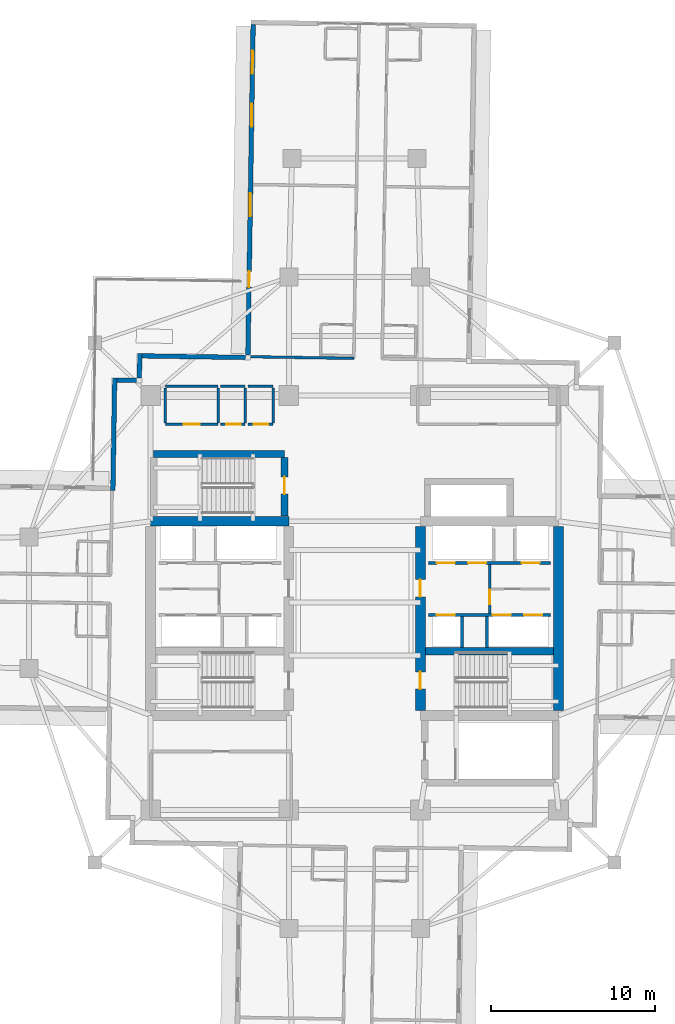
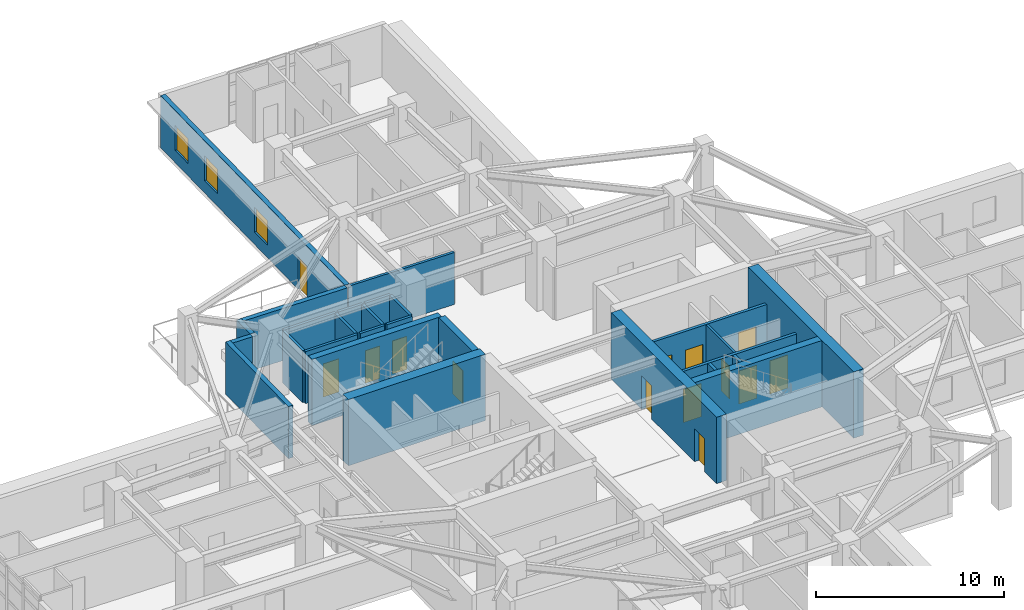
# One storey, part 14 of 22: 27 walls, 14 doors, 3 windows, 17 openings.
"""IFC4 building model written with IfcOpenShell, lengths in metres."""

from ifc_helpers import new_model, si_unit, direction, frame, frame_2d, origin, place, context, subcontext, project, spatial, rectangle, extrude, material, layer, layer_set, type_object, element, fill, save


model = new_model("IFC4")

# Units and contexts
model_context = context("Model", 3, precision=1e-05, world=origin(), true_north=direction((0.0, 1.0)))
body_context = subcontext(model_context, "Body", "Model", "MODEL_VIEW")
ifc_project = project(units=[si_unit("LENGTHUNIT", "METRE"), si_unit("AREAUNIT", "SQUARE_METRE"), si_unit("VOLUMEUNIT", "CUBIC_METRE"), si_unit("PLANEANGLEUNIT", "RADIAN"), si_unit("MASSUNIT", "GRAM", prefix="KILO")], contexts=[model_context])

# Site, building, storey
site_placement = place(None, origin())
site = spatial("IfcSite", under=ifc_project, at=site_placement, CompositionType="ELEMENT")
building_placement = place(site_placement, origin())
building = spatial("IfcBuilding", under=site, at=building_placement, Name="Qingluan Cross Belvedere", CompositionType="ELEMENT")
storey_placement = place(building_placement, frame((0.0, 0.0, 100.199951171875)))
storey = spatial("IfcBuildingStorey", under=building, at=storey_placement, Name="L25", CompositionType="ELEMENT", Elevation=100.199951171875)

# Walls
ifc_material_1 = material(Name="Concrete C50", Category="concrete")
ifc_layer_1 = layer(ifc_material_1, 0.449951171875, Name="CoreShearWall_450")
ifc_layer_set_1 = layer_set([ifc_layer_1], Name="Concrete C50")
wall_type_1 = type_object("IfcWallType", Name="CoreShearWall_450", PredefinedType="SHEAR", material=ifc_layer_set_1)
wall_1_placement = place(storey_placement, frame((4.304931640625, -2.9599609375, 0.0), z_axis=(0.0, 0.0, 1.0), x_axis=(1.0, 0.0, 0.0)))
element("IfcWall", 1, at=wall_1_placement, inside=storey, type_object=wall_type_1, Name="Split core E shear wall L25-M", PredefinedType="SHEAR", context=body_context, shape_type="SweptSolid", body=[
    extrude(rectangle(XDim=7.7900390625, YDim=0.449951171875, at=frame_2d((3.89501953125, 0.0))), origin(), (0.0, 0.0, 1.0), 4.300048828125),
])
wall_2_placement = place(storey_placement, frame((-12.219970703125, 9.0400390625, 0.0), z_axis=(0.0, 0.0, 1.0), x_axis=(1.0, 0.0, 0.0)))
element("IfcWall", 2, at=wall_2_placement, inside=storey, type_object=wall_type_1, Name="Stair ST3 structural wall N L25", PredefinedType="SHEAR", context=body_context, shape_type="SweptSolid", body=[
    extrude(rectangle(XDim=7.9599609375, YDim=0.39990234375, at=frame_2d((3.97998046875, 0.0))), origin(), (0.0, 0.0, 1.0), 4.300048828125),
])

# Wall, opening, door
wall_3_placement = place(storey_placement, frame((-4.260009765625, 5.2548828125, 0.0), z_axis=(0.0, 0.0, 1.0), x_axis=(0.0, 1.0, 0.0)))
wall_3 = element("IfcWall", 3, at=wall_3_placement, inside=storey, type_object=wall_type_1, Name="Stair ST3 structural wall E L25", PredefinedType="SHEAR", context=body_context, shape_type="SweptSolid", body=[
    extrude(rectangle(XDim=3.580078125, YDim=0.39990234375, at=frame_2d((1.7900390625, 0.0))), origin(), (0.0, 0.0, 1.0), 4.300048828125),
])
opening_1_placement = place(wall_3_placement, frame((1.344970703125, 0.0, 0.0)))
opening_1 = element("IfcOpeningElement", 4, at=opening_1_placement, cuts=wall_3, Name="Opening FD-B11", PredefinedType="OPENING", context=body_context, shape_type="SweptSolid", body=[
    extrude(rectangle(XDim=1.050048828125, YDim=2.14990234375, at=frame_2d((0.52490234375, 1.074951171875))), frame((0.0, 0.2099609375, 0.0), z_axis=(0.0, -1.0, 0.0), x_axis=(1.0, 0.0, 0.0)), (0.0, 0.0, 1.0), 0.419921875),
])
ifc_material_2 = material(Name="Steel Class B smoke-seal fire door", Category="steel")
door_type_1 = type_object("IfcDoorType", Name="StairLobbyFireDoor_FDB", OperationType="NOTDEFINED", PredefinedType="DOOR", material=ifc_material_2)
door_1_placement = place(opening_1_placement, origin())
door_1 = element("IfcDoor", 5, at=door_1_placement, inside=storey, type_object=door_type_1, Name="Smoke-proof stair ST3 fire door L25", OperationType="SINGLE_SWING_RIGHT", OverallHeight=2.14990234375, OverallWidth=1.050048828125, PredefinedType="DOOR", context=body_context, shape_type="SweptSolid", body=[
    extrude(rectangle(XDim=1.050048828125, YDim=2.14990234375, at=frame_2d((0.52490234375, 1.074951171875))), frame((0.0, 0.02490234375, 0.0), z_axis=(0.0, -1.0, 0.0), x_axis=(1.0, 0.0, 0.0)), (0.0, 0.0, 1.0), 0.050048828125),
])
fill(opening_1, door_1)

# Wall
ifc_material_3 = material(Name="Concrete C60", Category="concrete")
ifc_layer_2 = layer(ifc_material_3, 0.60009765625, Name="CoreShearWall_600")
ifc_layer_set_2 = layer_set([ifc_layer_2], Name="Concrete C60")
wall_type_2 = type_object("IfcWallType", Name="CoreShearWall_600", PredefinedType="SHEAR", material=ifc_layer_set_2)
wall_4_placement = place(storey_placement, frame((-12.39990234375, 4.949951171875, 0.0), z_axis=(0.0, 0.0, 1.0), x_axis=(1.0, 0.0, 0.0)))
element("IfcWall", 6, at=wall_4_placement, inside=storey, type_object=wall_type_2, Name="Split core W shear wall L25-N", PredefinedType="SHEAR", context=body_context, shape_type="SweptSolid", body=[
    extrude(rectangle(XDim=8.39990234375, YDim=0.60009765625, at=frame_2d((4.199951171875, 0.0))), origin(), (0.0, 0.0, 1.0), 4.300048828125),
])

# Wall, openings, doors
wall_5_placement = place(storey_placement, frame((4.0, -6.544921875, 0.0), z_axis=(0.0, 0.0, 1.0), x_axis=(0.0, 1.0, 0.0)))
wall_5 = element("IfcWall", 7, at=wall_5_placement, inside=storey, type_object=wall_type_2, Name="Split core E shear wall L25-W", PredefinedType="SHEAR", context=body_context, shape_type="SweptSolid", body=[
    extrude(rectangle(XDim=11.18994140625, YDim=0.60009765625, at=frame_2d((5.594970703125, 0.0))), origin(), (0.0, 0.0, 1.0), 4.300048828125),
])
opening_2_placement = place(wall_5_placement, frame((1.294921875, 0.0, 0.0)))
opening_2 = element("IfcOpeningElement", 8, at=opening_2_placement, cuts=wall_5, Name="Opening FD-B11", PredefinedType="OPENING", context=body_context, shape_type="SweptSolid", body=[
    extrude(rectangle(XDim=1.050048828125, YDim=2.14990234375, at=frame_2d((0.52490234375, 1.074951171875))), frame((0.0, 0.31005859375, 0.0), z_axis=(0.0, -1.0, 0.0), x_axis=(1.0, 0.0, 0.0)), (0.0, 0.0, 1.0), 0.6201171875),
])
opening_3_placement = place(wall_5_placement, frame((6.89501953125, 0.0, 0.0)))
opening_3 = element("IfcOpeningElement", 9, at=opening_3_placement, cuts=wall_5, Name="Opening FD-B11", PredefinedType="OPENING", context=body_context, shape_type="SweptSolid", body=[
    extrude(rectangle(XDim=1.050048828125, YDim=2.14990234375, at=frame_2d((0.52490234375, 1.074951171875))), frame((0.0, 0.31005859375, 0.0), z_axis=(0.0, -1.0, 0.0), x_axis=(1.0, 0.0, 0.0)), (0.0, 0.0, 1.0), 0.6201171875),
])
door_2_placement = place(opening_2_placement, origin())
door_2 = element("IfcDoor", 10, at=door_2_placement, inside=storey, type_object=door_type_1, Name="Smoke-proof stair ST2 fire door L25", OperationType="SINGLE_SWING_LEFT", OverallHeight=2.14990234375, OverallWidth=1.050048828125, PredefinedType="DOOR", context=body_context, shape_type="SweptSolid", body=[
    extrude(rectangle(XDim=1.050048828125, YDim=2.14990234375, at=frame_2d((0.52490234375, 1.074951171875))), frame((0.0, 0.02490234375, 0.0), z_axis=(0.0, -1.0, 0.0), x_axis=(1.0, 0.0, 0.0)), (0.0, 0.0, 1.0), 0.050048828125),
])
fill(opening_2, door_2)
door_3_placement = place(opening_3_placement, origin())
door_3 = element("IfcDoor", 11, at=door_3_placement, inside=storey, type_object=door_type_1, Name="Firefighting lobby East fire door L25", OperationType="SINGLE_SWING_LEFT", OverallHeight=2.14990234375, OverallWidth=1.050048828125, PredefinedType="DOOR", context=body_context, shape_type="SweptSolid", body=[
    extrude(rectangle(XDim=1.050048828125, YDim=2.14990234375, at=frame_2d((0.52490234375, 1.074951171875))), frame((0.0, 0.02490234375, 0.0), z_axis=(0.0, -1.0, 0.0), x_axis=(1.0, 0.0, 0.0)), (0.0, 0.0, 1.0), 0.050048828125),
])
fill(opening_3, door_3)

# Wall
wall_6_placement = place(storey_placement, frame((12.39990234375, -6.544921875, 0.0), z_axis=(0.0, 0.0, 1.0), x_axis=(0.0, 1.0, 0.0)))
element("IfcWall", 12, at=wall_6_placement, inside=storey, type_object=wall_type_2, Name="Split core E shear wall L25-E", PredefinedType="SHEAR", context=body_context, shape_type="SweptSolid", body=[
    extrude(rectangle(XDim=11.18994140625, YDim=0.60009765625, at=frame_2d((5.594970703125, 0.0))), origin(), (0.0, 0.0, 1.0), 4.300048828125),
])

# Wall, opening, door
ifc_material_4 = material(Name="Gypsum plasterboard on steel stud acoustic partition", Category="steel")
ifc_layer_3 = layer(ifc_material_4, 0.159912109375, Name="CorridorPartition_160")
ifc_layer_set_3 = layer_set([ifc_layer_3], Name="Gypsum plasterboard on steel stud acoustic partition")
wall_type_3 = type_object("IfcWallType", Name="CorridorPartition_160", PredefinedType="PARTITIONING", material=ifc_layer_set_3)
wall_7_placement = place(storey_placement, frame((-11.5, 10.85009765625, 0.0), z_axis=(0.0, 0.0, 1.0), x_axis=(1.0, 0.0, 0.0)))
wall_7 = element("IfcWall", 13, at=wall_7_placement, inside=storey, type_object=wall_type_3, Name="Partition L25:q_nw_occ:S", PredefinedType="PARTITIONING", context=body_context, shape_type="SweptSolid", body=[
    extrude(rectangle(XDim=3.199951171875, YDim=0.159912109375, at=frame_2d((1.60009765625, 0.0))), origin(), (0.0, 0.0, 1.0), 3.3701171875),
])
opening_4_placement = place(wall_7_placement, frame((1.1201171875, 0.0, 0.0)))
opening_4 = element("IfcOpeningElement", 14, at=opening_4_placement, cuts=wall_7, Name="Opening GD-10", PredefinedType="OPENING", context=body_context, shape_type="SweptSolid", body=[
    extrude(rectangle(XDim=0.9599609375, YDim=2.14990234375, at=frame_2d((0.47998046875, 1.074951171875))), frame((0.0, 0.08984375, 0.0), z_axis=(0.0, -1.0, 0.0), x_axis=(1.0, 0.0, 0.0)), (0.0, 0.0, 1.0), 0.179931640625),
])
ifc_material_5 = material(Name="Timber oak fire-rated acoustic guestroom door", Category="wood")
door_type_2 = type_object("IfcDoorType", Name="GuestEntryDoor_FD60", OperationType="NOTDEFINED", PredefinedType="DOOR", material=ifc_material_5)
door_4_placement = place(opening_4_placement, origin())
door_4 = element("IfcDoor", 15, at=door_4_placement, inside=storey, type_object=door_type_2, Name="Northwest corner reading salon L25 door", OperationType="SINGLE_SWING_RIGHT", OverallHeight=2.14990234375, OverallWidth=0.9599609375, PredefinedType="DOOR", context=body_context, shape_type="SweptSolid", body=[
    extrude(rectangle(XDim=0.9599609375, YDim=2.14990234375, at=frame_2d((0.47998046875, 1.074951171875))), frame((0.0, 0.02490234375, 0.0), z_axis=(0.0, -1.0, 0.0), x_axis=(1.0, 0.0, 0.0)), (0.0, 0.0, 1.0), 0.050048828125),
])
fill(opening_4, door_4)

# Walls
wall_8_placement = place(storey_placement, frame((-11.5, 13.14990234375, 0.0), z_axis=(0.0, 0.0, 1.0), x_axis=(1.0, 0.0, 0.0)))
element("IfcWall", 16, at=wall_8_placement, inside=storey, type_object=wall_type_3, Name="Partition L25:q_nw_occ:N", PredefinedType="PARTITIONING", context=body_context, shape_type="SweptSolid", body=[
    extrude(rectangle(XDim=3.199951171875, YDim=0.159912109375, at=frame_2d((1.60009765625, 0.0))), origin(), (0.0, 0.0, 1.0), 3.3701171875),
])
for number, where, z_axis, x_axis, name in (
    (17, (-11.5, 10.93505859375, 0.0), (0.0, 0.0, 1.0), (0.0, 1.0, 0.0), "Partition L25:q_nw_occ:W"),
    (18, (-8.300048828125, 10.93505859375, 0.0), (0.0, 0.0, 1.0), (0.0, 1.0, 0.0), "Partition L25:q_nw_occ:E"),
):
    element("IfcWall", number, at=place(storey_placement, frame(where, z_axis=z_axis, x_axis=x_axis)), inside=storey, type_object=wall_type_3, Name=name, PredefinedType="PARTITIONING", context=body_context, shape_type="SweptSolid", body=[
        extrude(rectangle(XDim=2.1298828125, YDim=0.159912109375, at=frame_2d((1.06494140625, 0.0))), origin(), (0.0, 0.0, 1.0), 3.3701171875),
    ])

# Wall, opening, door
wall_9_placement = place(storey_placement, frame((-8.139892578125, 10.85009765625, 0.0), z_axis=(0.0, 0.0, 1.0), x_axis=(1.0, 0.0, 0.0)))
wall_9 = element("IfcWall", 19, at=wall_9_placement, inside=storey, type_object=wall_type_3, Name="Partition L25:hk_linen:S", PredefinedType="PARTITIONING", context=body_context, shape_type="SweptSolid", body=[
    extrude(rectangle(XDim=1.489990234375, YDim=0.159912109375, at=frame_2d((0.7451171875, 0.0))), origin(), (0.0, 0.0, 1.0), 3.3701171875),
])
opening_5_placement = place(wall_9_placement, frame((0.35009765625, 0.0, 0.0)))
opening_5 = element("IfcOpeningElement", 20, at=opening_5_placement, cuts=wall_9, Name="Opening FD-B10", PredefinedType="OPENING", context=body_context, shape_type="SweptSolid", body=[
    extrude(rectangle(XDim=0.8798828125, YDim=2.10009765625, at=frame_2d((0.43994140625, 1.050048828125))), frame((0.0, 0.08984375, 0.0), z_axis=(0.0, -1.0, 0.0), x_axis=(1.0, 0.0, 0.0)), (0.0, 0.0, 1.0), 0.179931640625),
])
ifc_material_6 = material(Name="Steel Class B service fire door", Category="steel")
door_type_3 = type_object("IfcDoorType", Name="RiserServiceFireDoor_FDB", OperationType="NOTDEFINED", PredefinedType="DOOR", material=ifc_material_6)
door_5_placement = place(opening_5_placement, origin())
door_5 = element("IfcDoor", 21, at=door_5_placement, inside=storey, type_object=door_type_3, Name="Housekeeping and linen store L25 door", OperationType="SINGLE_SWING_LEFT", OverallHeight=2.10009765625, OverallWidth=0.8798828125, PredefinedType="DOOR", context=body_context, shape_type="SweptSolid", body=[
    extrude(rectangle(XDim=0.8798828125, YDim=2.10009765625, at=frame_2d((0.43994140625, 1.050048828125))), frame((0.0, 0.02490234375, 0.0), z_axis=(0.0, -1.0, 0.0), x_axis=(1.0, 0.0, 0.0)), (0.0, 0.0, 1.0), 0.050048828125),
])
fill(opening_5, door_5)

# Walls
wall_10_placement = place(storey_placement, frame((-8.139892578125, 13.14990234375, 0.0), z_axis=(0.0, 0.0, 1.0), x_axis=(1.0, 0.0, 0.0)))
element("IfcWall", 22, at=wall_10_placement, inside=storey, type_object=wall_type_3, Name="Partition L25:hk_linen:N", PredefinedType="PARTITIONING", context=body_context, shape_type="SweptSolid", body=[
    extrude(rectangle(XDim=1.489990234375, YDim=0.159912109375, at=frame_2d((0.7451171875, 0.0))), origin(), (0.0, 0.0, 1.0), 3.3701171875),
])
wall_11_placement = place(storey_placement, frame((-6.64990234375, 10.93505859375, 0.0), z_axis=(0.0, 0.0, 1.0), x_axis=(0.0, 1.0, 0.0)))
element("IfcWall", 23, at=wall_11_placement, inside=storey, type_object=wall_type_3, Name="Partition L25:hk_linen:E", PredefinedType="PARTITIONING", context=body_context, shape_type="SweptSolid", body=[
    extrude(rectangle(XDim=2.1298828125, YDim=0.159912109375, at=frame_2d((1.06494140625, 0.0))), origin(), (0.0, 0.0, 1.0), 3.3701171875),
])

# Wall, opening, door
wall_12_placement = place(storey_placement, frame((-6.489990234375, 10.85009765625, 0.0), z_axis=(0.0, 0.0, 1.0), x_axis=(1.0, 0.0, 0.0)))
wall_12 = element("IfcWall", 24, at=wall_12_placement, inside=storey, type_object=wall_type_3, Name="Partition L25:floor_acc_wc:S", PredefinedType="PARTITIONING", context=body_context, shape_type="SweptSolid", body=[
    extrude(rectangle(XDim=1.5400390625, YDim=0.159912109375, at=frame_2d((0.77001953125, 0.0))), origin(), (0.0, 0.0, 1.0), 3.3701171875),
])
opening_6_placement = place(wall_12_placement, frame((0.35009765625, 0.0, 0.0)))
opening_6 = element("IfcOpeningElement", 25, at=opening_6_placement, cuts=wall_12, Name="Opening BD-08", PredefinedType="OPENING", context=body_context, shape_type="SweptSolid", body=[
    extrude(rectangle(XDim=0.8798828125, YDim=2.14990234375, at=frame_2d((0.43994140625, 1.074951171875))), frame((0.0, 0.08984375, 0.0), z_axis=(0.0, -1.0, 0.0), x_axis=(1.0, 0.0, 0.0)), (0.0, 0.0, 1.0), 0.179931640625),
])
ifc_material_7 = material(Name="Moisture-sealed timber accessible WC door", Category="wood")
door_type_4 = type_object("IfcDoorType", Name="AccessibleWCDoor_880", OperationType="NOTDEFINED", PredefinedType="DOOR", material=ifc_material_7)
door_6_placement = place(opening_6_placement, origin())
door_6 = element("IfcDoor", 26, at=door_6_placement, inside=storey, type_object=door_type_4, Name="Accessible guest washroom L25 door", OperationType="SINGLE_SWING_RIGHT", OverallHeight=2.14990234375, OverallWidth=0.8798828125, PredefinedType="DOOR", context=body_context, shape_type="SweptSolid", body=[
    extrude(rectangle(XDim=0.8798828125, YDim=2.14990234375, at=frame_2d((0.43994140625, 1.074951171875))), frame((0.0, 0.02490234375, 0.0), z_axis=(0.0, -1.0, 0.0), x_axis=(1.0, 0.0, 0.0)), (0.0, 0.0, 1.0), 0.050048828125),
])
fill(opening_6, door_6)

# Walls
wall_13_placement = place(storey_placement, frame((-6.489990234375, 13.14990234375, 0.0), z_axis=(0.0, 0.0, 1.0), x_axis=(1.0, 0.0, 0.0)))
element("IfcWall", 27, at=wall_13_placement, inside=storey, type_object=wall_type_3, Name="Partition L25:floor_acc_wc:N", PredefinedType="PARTITIONING", context=body_context, shape_type="SweptSolid", body=[
    extrude(rectangle(XDim=1.5400390625, YDim=0.159912109375, at=frame_2d((0.77001953125, 0.0))), origin(), (0.0, 0.0, 1.0), 3.3701171875),
])
wall_14_placement = place(storey_placement, frame((-4.949951171875, 10.93505859375, 0.0), z_axis=(0.0, 0.0, 1.0), x_axis=(0.0, 1.0, 0.0)))
element("IfcWall", 28, at=wall_14_placement, inside=storey, type_object=wall_type_3, Name="Partition L25:floor_acc_wc:E", PredefinedType="PARTITIONING", context=body_context, shape_type="SweptSolid", body=[
    extrude(rectangle(XDim=2.1298828125, YDim=0.159912109375, at=frame_2d((1.06494140625, 0.0))), origin(), (0.0, 0.0, 1.0), 3.3701171875),
])
wall_15_placement = place(storey_placement, frame((-0.046630859375, 14.8525390625, 0.0), z_axis=(0.0, 0.0, 1.0), x_axis=(-0.99987682984, 0.015694749102, 0.0)))
element("IfcWall", 29, at=wall_15_placement, inside=storey, type_object=wall_type_3, Name="Partition L25:N:s1", PredefinedType="PARTITIONING", context=body_context, shape_type="SweptSolid", body=[
    extrude(rectangle(XDim=6.43994140625, YDim=0.159912109375, at=frame_2d((3.219970703125, 0.0))), origin(), (0.0, 0.0, 1.0), 3.3701171875),
])

# Wall, openings, windows, door
ifc_material_8 = material(Name="Precast concrete C45", Category="concrete")
ifc_layer_4 = layer(ifc_material_8, 0.280029296875, Name="PrecastFacadeWall_280")
ifc_layer_set_4 = layer_set([ifc_layer_4], Name="Precast concrete C45")
wall_type_4 = type_object("IfcWallType", Name="PrecastFacadeWall_280", PredefinedType="STANDARD", material=ifc_layer_set_4)
wall_16_placement = place(storey_placement, frame((-6.168701171875, 35.14111328125, 0.0), z_axis=(0.0, 0.0, 1.0), x_axis=(-0.01571739401, -0.999876474133, 0.0)))
wall_16 = element("IfcWall", 30, at=wall_16_placement, inside=storey, type_object=wall_type_4, Name="Facade wall L25-NB", PredefinedType="STANDARD", context=body_context, shape_type="SweptSolid", body=[
    extrude(rectangle(XDim=20.099853515625, YDim=0.280029296875, at=frame_2d((10.0498046875, 0.0))), origin(), (0.0, 0.0, 1.0), 3.380126953125),
])
opening_7_placement = place(wall_16_placement, frame((1.60009765625, 0.0, 0.800048828125)))
opening_7 = element("IfcOpeningElement", 31, at=opening_7_placement, cuts=wall_16, Name="Opening W-01", PredefinedType="OPENING", context=body_context, shape_type="SweptSolid", body=[
    extrude(rectangle(XDim=1.39990234375, YDim=1.60009765625, at=frame_2d((0.699951171875, 0.800048828125))), frame((0.0, 0.14990234375, 0.0), z_axis=(0.0, -1.0, 0.0), x_axis=(1.0, 0.0, 0.0)), (0.0, 0.0, 1.0), 0.300048828125),
])
opening_8_placement = place(wall_16_placement, frame((4.800048828125, 0.0, 0.800048828125)))
opening_8 = element("IfcOpeningElement", 32, at=opening_8_placement, cuts=wall_16, Name="Opening W-01", PredefinedType="OPENING", context=body_context, shape_type="SweptSolid", body=[
    extrude(rectangle(XDim=1.39990234375, YDim=1.60009765625, at=frame_2d((0.699951171875, 0.800048828125))), frame((0.0, 0.14990234375, 0.0), z_axis=(0.0, -1.0, 0.0), x_axis=(1.0, 0.0, 0.0)), (0.0, 0.0, 1.0), 0.300048828125),
])
opening_9_placement = place(wall_16_placement, frame((10.25, 0.0, 0.800048828125)))
opening_9 = element("IfcOpeningElement", 33, at=opening_9_placement, cuts=wall_16, Name="Opening W-01", PredefinedType="OPENING", context=body_context, shape_type="SweptSolid", body=[
    extrude(rectangle(XDim=1.39990234375, YDim=1.60009765625, at=frame_2d((0.699951171875, 0.800048828125))), frame((0.0, 0.14990234375, 0.0), z_axis=(0.0, -1.0, 0.0), x_axis=(1.0, 0.0, 0.0)), (0.0, 0.0, 1.0), 0.300048828125),
])
opening_10_placement = place(wall_16_placement, frame((15.0, 0.0, 0.0)))
opening_10 = element("IfcOpeningElement", 34, at=opening_10_placement, cuts=wall_16, Name="Opening WD-10", PredefinedType="OPENING", context=body_context, shape_type="SweptSolid", body=[
    extrude(rectangle(XDim=0.9599609375, YDim=2.10009765625, at=frame_2d((0.47998046875, 1.050048828125))), frame((0.0, 0.14990234375, 0.0), z_axis=(0.0, -1.0, 0.0), x_axis=(1.0, 0.0, 0.0)), (0.0, 0.0, 1.0), 0.300048828125),
])
ifc_material_9 = material(Name="Thermally broken triple Low-E glass in aluminium frame", Category="aluminium")
window_type = type_object("IfcWindowType", Name="TriRibbonWin_1400x1600", PartitioningType="SINGLE_PANEL", PredefinedType="WINDOW", material=ifc_material_9)
window_1_placement = place(opening_7_placement, origin())
window_1 = element("IfcWindow", 35, at=window_1_placement, inside=storey, type_object=window_type, Name="Ribbon window L25-NB-1", OverallHeight=1.60009765625, OverallWidth=1.39990234375, PartitioningType="SINGLE_PANEL", PredefinedType="WINDOW", context=body_context, shape_type="SweptSolid", body=[
    extrude(rectangle(XDim=1.39990234375, YDim=1.60009765625, at=frame_2d((0.699951171875, 0.800048828125))), frame((0.0, 0.030029296875, 0.0), z_axis=(0.0, -1.0, 0.0), x_axis=(1.0, 0.0, 0.0)), (0.0, 0.0, 1.0), 0.06005859375),
])
fill(opening_7, window_1)
window_2_placement = place(opening_8_placement, origin())
window_2 = element("IfcWindow", 36, at=window_2_placement, inside=storey, type_object=window_type, Name="Ribbon window L25-NB-2", OverallHeight=1.60009765625, OverallWidth=1.39990234375, PartitioningType="SINGLE_PANEL", PredefinedType="WINDOW", context=body_context, shape_type="SweptSolid", body=[
    extrude(rectangle(XDim=1.39990234375, YDim=1.60009765625, at=frame_2d((0.699951171875, 0.800048828125))), frame((0.0, 0.030029296875, 0.0), z_axis=(0.0, -1.0, 0.0), x_axis=(1.0, 0.0, 0.0)), (0.0, 0.0, 1.0), 0.06005859375),
])
fill(opening_8, window_2)
window_3_placement = place(opening_9_placement, origin())
window_3 = element("IfcWindow", 37, at=window_3_placement, inside=storey, type_object=window_type, Name="Ribbon window L25-NB-3", OverallHeight=1.60009765625, OverallWidth=1.39990234375, PartitioningType="SINGLE_PANEL", PredefinedType="WINDOW", context=body_context, shape_type="SweptSolid", body=[
    extrude(rectangle(XDim=1.39990234375, YDim=1.60009765625, at=frame_2d((0.699951171875, 0.800048828125))), frame((0.0, 0.030029296875, 0.0), z_axis=(0.0, -1.0, 0.0), x_axis=(1.0, 0.0, 0.0)), (0.0, 0.0, 1.0), 0.06005859375),
])
fill(opening_9, window_3)
ifc_material_10 = material(Name="Thermally broken aluminium and Low-E glass", Category="aluminium")
door_type_5 = type_object("IfcDoorType", Name="WinterGardenDoor_096", OperationType="NOTDEFINED", PredefinedType="DOOR", material=ifc_material_10)
door_7_placement = place(opening_10_placement, origin())
door_7 = element("IfcDoor", 38, at=door_7_placement, inside=storey, type_object=door_type_5, Name="Outdoor terrace access door L25-spi", OperationType="SINGLE_SWING_LEFT", OverallHeight=2.10009765625, OverallWidth=0.9599609375, PredefinedType="DOOR", context=body_context, shape_type="SweptSolid", body=[
    extrude(rectangle(XDim=0.9599609375, YDim=2.10009765625, at=frame_2d((0.47998046875, 1.050048828125))), frame((0.0, 0.02490234375, 0.0), z_axis=(0.0, -1.0, 0.0), x_axis=(1.0, 0.0, 0.0)), (0.0, 0.0, 1.0), 0.050048828125),
])
fill(opening_10, door_7)

# Walls
wall_17_placement = place(storey_placement, frame((-14.69482421875, 6.811767578125, 0.0), z_axis=(0.0, 0.0, 1.0), x_axis=(0.015694809807, 0.999876828887, 0.0)))
element("IfcWall", 39, at=wall_17_placement, inside=storey, type_object=wall_type_4, Name="Corner wall L25-NW1", PredefinedType="STANDARD", context=body_context, shape_type="SweptSolid", body=[
    extrude(rectangle(XDim=6.85986328125, YDim=0.280029296875, at=frame_2d((3.429931640625, 0.0))), origin(), (0.0, 0.0, 1.0), 3.380126953125),
])
wall_18_placement = place(storey_placement, frame((-14.44921875, 13.528564453125, 0.0), z_axis=(0.0, 0.0, 1.0), x_axis=(0.999878147354, -0.015610587569, 0.0)))
element("IfcWall", 40, at=wall_18_placement, inside=storey, type_object=wall_type_4, Name="Corner wall L25-NW2", PredefinedType="STANDARD", context=body_context, shape_type="SweptSolid", body=[
    extrude(rectangle(XDim=1.219970703125, YDim=0.280029296875, at=frame_2d((0.60986328125, 0.0))), origin(), (0.0, 0.0, 1.0), 3.380126953125),
])
wall_19_placement = place(storey_placement, frame((-13.08740234375, 13.647216796875, 0.0), z_axis=(0.0, 0.0, 1.0), x_axis=(0.015785793208, 0.999875396603, 0.0)))
element("IfcWall", 41, at=wall_19_placement, inside=storey, type_object=wall_type_4, Name="Corner wall L25-NW3", PredefinedType="STANDARD", context=body_context, shape_type="SweptSolid", body=[
    extrude(rectangle(XDim=1.500244140625, YDim=0.280029296875, at=frame_2d((0.75, 0.0))), origin(), (0.0, 0.0, 1.0), 3.380126953125),
])
wall_20_placement = place(storey_placement, frame((-12.92578125, 15.0048828125, 0.0), z_axis=(0.0, 0.0, 1.0), x_axis=(0.999876823822, -0.015695132501, 0.0)))
element("IfcWall", 42, at=wall_20_placement, inside=storey, type_object=wall_type_4, Name="Corner wall L25-NW4", PredefinedType="STANDARD", context=body_context, shape_type="SweptSolid", body=[
    extrude(rectangle(XDim=6.2998046875, YDim=0.280029296875, at=frame_2d((3.14990234375, 0.0))), origin(), (0.0, 0.0, 1.0), 3.380126953125),
])

# Wall, openings, doors
ifc_material_11 = material(Name="Concrete C40", Category="concrete")
ifc_layer_5 = layer(ifc_material_11, 0.219970703125, Name="ShaftEnclosureWall_250")
ifc_layer_set_5 = layer_set([ifc_layer_5], Name="Concrete C40")
wall_type_5 = type_object("IfcWallType", Name="ShaftEnclosureWall_250", PredefinedType="SOLIDWALL", material=ifc_layer_set_5)
wall_21_placement = place(storey_placement, frame((4.47998046875, 2.409912109375, 0.0), z_axis=(0.0, 0.0, 1.0), x_axis=(1.0, 0.0, 0.0)))
wall_21 = element("IfcWall", 43, at=wall_21_placement, inside=storey, type_object=wall_type_5, Name="Core-E north hoistway wall L25", PredefinedType="SOLIDWALL", context=body_context, shape_type="SweptSolid", body=[
    extrude(rectangle(XDim=7.419921875, YDim=0.179931640625, at=frame_2d((3.7099609375, 0.0))), origin(), (0.0, 0.0, 1.0), 3.3701171875),
])
opening_11_placement = place(wall_21_placement, frame((5.669921875, 0.0, 0.0)))
opening_11 = element("IfcOpeningElement", 44, at=opening_11_placement, cuts=wall_21, Name="Opening LD-11", PredefinedType="OPENING", context=body_context, shape_type="SweptSolid", body=[
    extrude(rectangle(XDim=1.10009765625, YDim=2.14990234375, at=frame_2d((0.550048828125, 1.074951171875))), frame((0.0, 0.099853515625, 0.0), z_axis=(0.0, -1.0, 0.0), x_axis=(1.0, 0.0, 0.0)), (0.0, 0.0, 1.0), 0.199951171875),
])
opening_12_placement = place(wall_21_placement, frame((0.52001953125, 0.0, 0.0)))
opening_12 = element("IfcOpeningElement", 45, at=opening_12_placement, cuts=wall_21, Name="Opening LD-11", PredefinedType="OPENING", context=body_context, shape_type="SweptSolid", body=[
    extrude(rectangle(XDim=1.10009765625, YDim=2.14990234375, at=frame_2d((0.550048828125, 1.074951171875))), frame((0.0, 0.099853515625, 0.0), z_axis=(0.0, -1.0, 0.0), x_axis=(1.0, 0.0, 0.0)), (0.0, 0.0, 1.0), 0.199951171875),
])
opening_13_placement = place(wall_21_placement, frame((2.419921875, 0.0, 0.0)))
opening_13 = element("IfcOpeningElement", 46, at=opening_13_placement, cuts=wall_21, Name="Opening LD-11", PredefinedType="OPENING", context=body_context, shape_type="SweptSolid", body=[
    extrude(rectangle(XDim=1.10009765625, YDim=2.14990234375, at=frame_2d((0.550048828125, 1.074951171875))), frame((0.0, 0.099853515625, 0.0), z_axis=(0.0, -1.0, 0.0), x_axis=(1.0, 0.0, 0.0)), (0.0, 0.0, 1.0), 0.199951171875),
])
ifc_material_12 = material(Name="Brushed stainless steel centre-opening lift landing door", Category="steel")
door_type_6 = type_object("IfcDoorType", Name="LiftLandingSlidingDoor_1100", OperationType="DOUBLE_DOOR_SLIDING", PredefinedType="DOOR", material=ifc_material_12)
door_8_placement = place(opening_11_placement, origin())
door_8 = element("IfcDoor", 47, at=door_8_placement, inside=storey, type_object=door_type_6, Name="Lift landing sliding door FL2 L25", OperationType="DOUBLE_DOOR_SLIDING", OverallHeight=2.14990234375, OverallWidth=1.10009765625, PredefinedType="DOOR", context=body_context, shape_type="SweptSolid", body=[
    extrude(rectangle(XDim=1.10009765625, YDim=2.14990234375, at=frame_2d((0.550048828125, 1.074951171875))), frame((0.0, 0.02490234375, 0.0), z_axis=(0.0, -1.0, 0.0), x_axis=(1.0, 0.0, 0.0)), (0.0, 0.0, 1.0), 0.050048828125),
])
fill(opening_11, door_8)
door_9_placement = place(opening_12_placement, origin())
door_9 = element("IfcDoor", 48, at=door_9_placement, inside=storey, type_object=door_type_6, Name="Lift landing sliding door LP3 L25", OperationType="DOUBLE_DOOR_SLIDING", OverallHeight=2.14990234375, OverallWidth=1.10009765625, PredefinedType="DOOR", context=body_context, shape_type="SweptSolid", body=[
    extrude(rectangle(XDim=1.10009765625, YDim=2.14990234375, at=frame_2d((0.550048828125, 1.074951171875))), frame((0.0, 0.02490234375, 0.0), z_axis=(0.0, -1.0, 0.0), x_axis=(1.0, 0.0, 0.0)), (0.0, 0.0, 1.0), 0.050048828125),
])
fill(opening_12, door_9)
door_10_placement = place(opening_13_placement, origin())
door_10 = element("IfcDoor", 49, at=door_10_placement, inside=storey, type_object=door_type_6, Name="Lift landing sliding door LP4 L25", OperationType="DOUBLE_DOOR_SLIDING", OverallHeight=2.14990234375, OverallWidth=1.10009765625, PredefinedType="DOOR", context=body_context, shape_type="SweptSolid", body=[
    extrude(rectangle(XDim=1.10009765625, YDim=2.14990234375, at=frame_2d((0.550048828125, 1.074951171875))), frame((0.0, 0.02490234375, 0.0), z_axis=(0.0, -1.0, 0.0), x_axis=(1.0, 0.0, 0.0)), (0.0, 0.0, 1.0), 0.050048828125),
])
fill(opening_13, door_10)

wall_22_placement = place(storey_placement, frame((4.47998046875, -0.75, 0.0), z_axis=(0.0, 0.0, 1.0), x_axis=(1.0, 0.0, 0.0)))
wall_22 = element("IfcWall", 50, at=wall_22_placement, inside=storey, type_object=wall_type_5, Name="Core-E mid hoistway wall L25", PredefinedType="SOLIDWALL", context=body_context, shape_type="SweptSolid", body=[
    extrude(rectangle(XDim=7.419921875, YDim=0.179931640625, at=frame_2d((3.7099609375, 0.0))), origin(), (0.0, 0.0, 1.0), 3.3701171875),
])
opening_14_placement = place(wall_22_placement, frame((0.52001953125, 0.0, 0.0)))
opening_14 = element("IfcOpeningElement", 51, at=opening_14_placement, cuts=wall_22, Name="Opening LD-11", PredefinedType="OPENING", context=body_context, shape_type="SweptSolid", body=[
    extrude(rectangle(XDim=1.10009765625, YDim=2.14990234375, at=frame_2d((0.550048828125, 1.074951171875))), frame((0.0, 0.099853515625, 0.0), z_axis=(0.0, -1.0, 0.0), x_axis=(1.0, 0.0, 0.0)), (0.0, 0.0, 1.0), 0.199951171875),
])
opening_15_placement = place(wall_22_placement, frame((3.919921875, 0.0, 0.0)))
opening_15 = element("IfcOpeningElement", 52, at=opening_15_placement, cuts=wall_22, Name="Opening LD-11", PredefinedType="OPENING", context=body_context, shape_type="SweptSolid", body=[
    extrude(rectangle(XDim=1.10009765625, YDim=2.14990234375, at=frame_2d((0.550048828125, 1.074951171875))), frame((0.0, 0.099853515625, 0.0), z_axis=(0.0, -1.0, 0.0), x_axis=(1.0, 0.0, 0.0)), (0.0, 0.0, 1.0), 0.199951171875),
])
opening_16_placement = place(wall_22_placement, frame((5.820068359375, 0.0, 0.0)))
opening_16 = element("IfcOpeningElement", 53, at=opening_16_placement, cuts=wall_22, Name="Opening LD-11", PredefinedType="OPENING", context=body_context, shape_type="SweptSolid", body=[
    extrude(rectangle(XDim=1.10009765625, YDim=2.14990234375, at=frame_2d((0.550048828125, 1.074951171875))), frame((0.0, 0.099853515625, 0.0), z_axis=(0.0, -1.0, 0.0), x_axis=(1.0, 0.0, 0.0)), (0.0, 0.0, 1.0), 0.199951171875),
])
door_11_placement = place(opening_14_placement, origin())
door_11 = element("IfcDoor", 54, at=door_11_placement, inside=storey, type_object=door_type_6, Name="Lift landing sliding door LP7 L25", OperationType="DOUBLE_DOOR_SLIDING", OverallHeight=2.14990234375, OverallWidth=1.10009765625, PredefinedType="DOOR", context=body_context, shape_type="SweptSolid", body=[
    extrude(rectangle(XDim=1.10009765625, YDim=2.14990234375, at=frame_2d((0.550048828125, 1.074951171875))), frame((0.0, 0.02490234375, 0.0), z_axis=(0.0, -1.0, 0.0), x_axis=(1.0, 0.0, 0.0)), (0.0, 0.0, 1.0), 0.050048828125),
])
fill(opening_14, door_11)
door_12_placement = place(opening_15_placement, origin())
door_12 = element("IfcDoor", 55, at=door_12_placement, inside=storey, type_object=door_type_6, Name="Lift landing sliding door LP9 L25", OperationType="DOUBLE_DOOR_SLIDING", OverallHeight=2.14990234375, OverallWidth=1.10009765625, PredefinedType="DOOR", context=body_context, shape_type="SweptSolid", body=[
    extrude(rectangle(XDim=1.10009765625, YDim=2.14990234375, at=frame_2d((0.550048828125, 1.074951171875))), frame((0.0, 0.02490234375, 0.0), z_axis=(0.0, -1.0, 0.0), x_axis=(1.0, 0.0, 0.0)), (0.0, 0.0, 1.0), 0.050048828125),
])
fill(opening_15, door_12)
door_13_placement = place(opening_16_placement, origin())
door_13 = element("IfcDoor", 56, at=door_13_placement, inside=storey, type_object=door_type_6, Name="Lift landing sliding door LP10 L25", OperationType="DOUBLE_DOOR_SLIDING", OverallHeight=2.14990234375, OverallWidth=1.10009765625, PredefinedType="DOOR", context=body_context, shape_type="SweptSolid", body=[
    extrude(rectangle(XDim=1.10009765625, YDim=2.14990234375, at=frame_2d((0.550048828125, 1.074951171875))), frame((0.0, 0.02490234375, 0.0), z_axis=(0.0, -1.0, 0.0), x_axis=(1.0, 0.0, 0.0)), (0.0, 0.0, 1.0), 0.050048828125),
])
fill(opening_16, door_13)

# Walls
for number, where, z_axis, x_axis, name in (
    (57, (6.5400390625, -2.72998046875, 0.0), (0.0, 0.0, 1.0), (0.0, 1.0, 0.0), "Hoistway enclosure divider LP7E L25"),
    (58, (8.06005859375, -2.72998046875, 0.0), (0.0, 0.0, 1.0), (0.0, 1.0, 0.0), "Hoistway enclosure divider LP9W L25"),
):
    element("IfcWall", number, at=place(storey_placement, frame(where, z_axis=z_axis, x_axis=x_axis)), inside=storey, type_object=wall_type_5, Name=name, PredefinedType="SOLIDWALL", context=body_context, shape_type="SweptSolid", body=[
        extrude(rectangle(XDim=1.889892578125, YDim=0.179931640625, at=frame_2d((0.94482421875, 0.0))), origin(), (0.0, 0.0, 1.0), 3.3701171875),
    ])

# Wall, opening, door
wall_23_placement = place(storey_placement, frame((8.219970703125, -0.64990234375, 0.0), z_axis=(0.0, 0.0, 1.0), x_axis=(0.0, 1.0, 0.0)))
wall_23 = element("IfcWall", 59, at=wall_23_placement, inside=storey, type_object=wall_type_5, Name="Core-E service corridor wall L25", PredefinedType="SOLIDWALL", context=body_context, shape_type="SweptSolid", body=[
    extrude(rectangle(XDim=2.9599609375, YDim=0.139892578125, at=frame_2d((1.47998046875, 0.0))), origin(), (0.0, 0.0, 1.0), 3.3701171875),
])
opening_17_placement = place(wall_23_placement, frame((0.550048828125, 0.0, 0.0)))
opening_17 = element("IfcOpeningElement", 60, at=opening_17_placement, cuts=wall_23, Name="Opening FD-B10", PredefinedType="OPENING", context=body_context, shape_type="SweptSolid", body=[
    extrude(rectangle(XDim=0.8798828125, YDim=2.10009765625, at=frame_2d((0.43994140625, 1.050048828125))), frame((0.0, 0.079833984375, 0.0), z_axis=(0.0, -1.0, 0.0), x_axis=(1.0, 0.0, 0.0)), (0.0, 0.0, 1.0), 0.159912109375),
])
door_14_placement = place(opening_17_placement, origin())
door_14 = element("IfcDoor", 61, at=door_14_placement, inside=storey, type_object=door_type_3, Name="Core-E service room door L25", OperationType="SINGLE_SWING_LEFT", OverallHeight=2.10009765625, OverallWidth=0.8798828125, PredefinedType="DOOR", context=body_context, shape_type="SweptSolid", body=[
    extrude(rectangle(XDim=0.8798828125, YDim=2.10009765625, at=frame_2d((0.43994140625, 1.050048828125))), frame((0.0, 0.02490234375, 0.0), z_axis=(0.0, -1.0, 0.0), x_axis=(1.0, 0.0, 0.0)), (0.0, 0.0, 1.0), 0.050048828125),
])
fill(opening_17, door_14)

save(model, "model.ifc")
